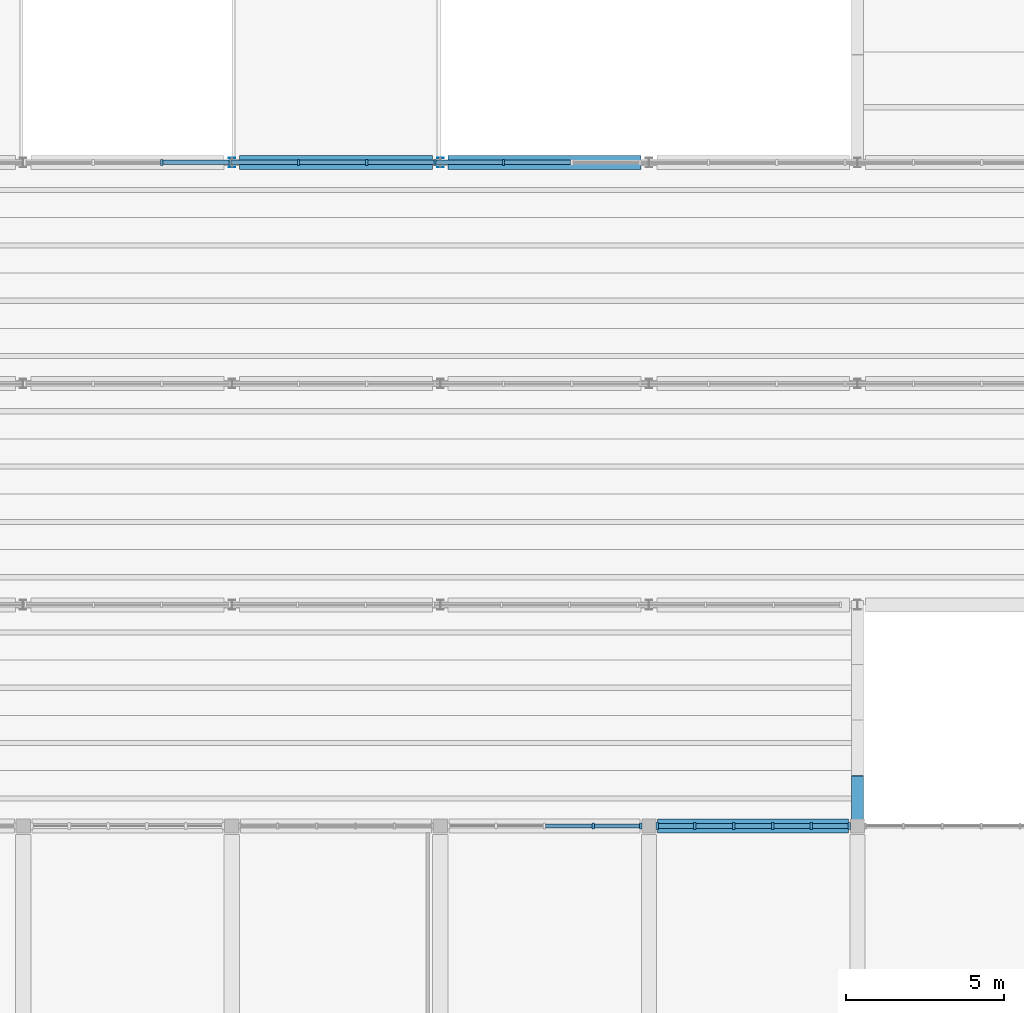
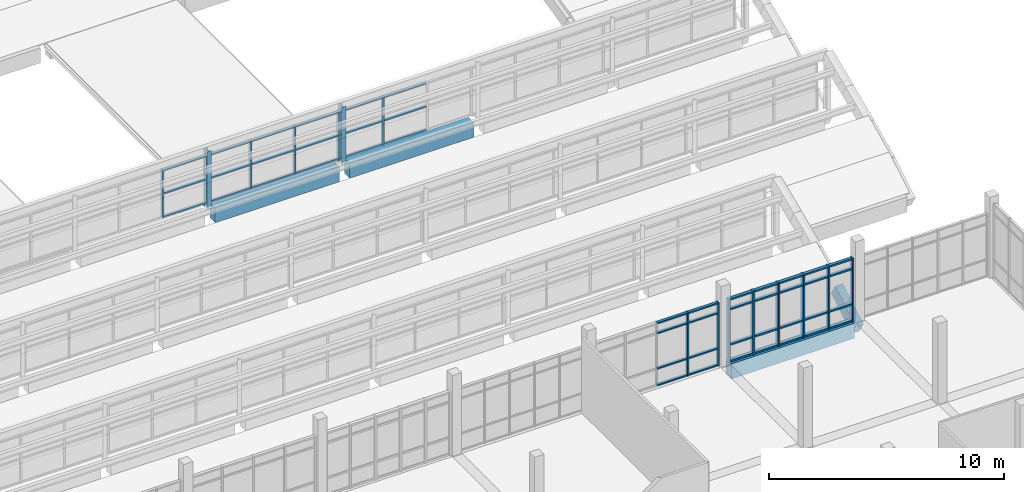
# One storey, part 33 of 92: 62 members, 4 beams, 3 elements without a shape of their own.
"""IFC4 building model written with IfcOpenShell, lengths in metres."""

from ifc_helpers import new_model, si_unit, direction, frame, origin, origin_2d, place, context, subcontext, project, spatial, rectangle, i_section, extrude, material, material_profile, profile_set, type_object, element, aggregate, save


model = new_model("IFC4")

# Units and contexts
model_context = context("Model", 3, precision=1e-05, world=origin(), true_north=direction((0.0, 1.0)))
body_context = subcontext(model_context, "Body", "Model", "MODEL_VIEW")
ifc_project = project(units=[si_unit("LENGTHUNIT", "METRE"), si_unit("AREAUNIT", "SQUARE_METRE"), si_unit("VOLUMEUNIT", "CUBIC_METRE"), si_unit("PLANEANGLEUNIT", "RADIAN"), si_unit("MASSUNIT", "GRAM", prefix="KILO")], contexts=[model_context])

# Site, building, storey
site_placement = place(None, origin())
site = spatial("IfcSite", under=ifc_project, at=site_placement, CompositionType="ELEMENT")
building_placement = place(site_placement, origin())
building = spatial("IfcBuilding", under=site, at=building_placement, Name="Ciguamira Faculty of Natural Sciences", CompositionType="ELEMENT")
storey_placement = place(building_placement, frame((0.0, 0.0, 16.800048828125)))
storey = spatial("IfcBuildingStorey", under=building, at=storey_placement, Name="L04", CompositionType="ELEMENT", Elevation=16.800048828125)

# Curtain wall, members
ifc_material_1 = material(Name="Anodized aluminium curtain wall", Category="aluminium")
curtain_wall_type_1 = type_object("IfcCurtainWallType", Name="CurtainWall_CW-11", PredefinedType="USERDEFINED", material=ifc_material_1)
curtain_wall_1_placement = place(storey_placement, origin())
curtain_wall_1 = element("IfcCurtainWall", 1, at=curtain_wall_1_placement, inside=storey, type_object=curtain_wall_type_1, Name="L04 unitised curtain wall 0119", ObjectType="UNITISED CURTAIN WALL", PredefinedType="USERDEFINED")
ifc_material_2 = material(Name="Anodized aluminium mullion", Category="aluminium")
ifc_material_profile_1 = material_profile(ifc_material_2, rectangle(XDim=0.070068359375, YDim=0.179931640625, at=origin_2d()), Name="ALU-MUL-70X180")
ifc_profile_set_1 = profile_set([ifc_material_profile_1], Name="Anodized aluminium mullion")
member_type_1 = type_object("IfcMemberType", Name="CWMullion_CWM-02", PredefinedType="MULLION", material=ifc_profile_set_1)
member_1_placement = place(storey_placement, frame((101.737548828125, 38.0, 0.0), z_axis=(0.0, 0.0, 1.0), x_axis=(1.0, 0.0, 0.0)))
member_1 = element("IfcMember", 2, at=member_1_placement, type_object=member_type_1, Name="CW-11 mullion 4", PredefinedType="MULLION", context=body_context, shape_type="SweptSolid", body=[
    extrude(rectangle(XDim=0.070068359375, YDim=0.179931640625, at=origin_2d()), origin(), (0.0, 0.0, 1.0), 3.284912109375),
])
member_2_placement = place(storey_placement, frame((103.239990234375, 38.0, 0.0), z_axis=(0.0, 0.0, 1.0), x_axis=(1.0, 0.0, 0.0)))
member_2 = element("IfcMember", 3, at=member_2_placement, type_object=member_type_1, Name="CW-11 mullion 5", PredefinedType="MULLION", context=body_context, shape_type="SweptSolid", body=[
    extrude(rectangle(XDim=0.070068359375, YDim=0.179931640625, at=origin_2d()), origin(), (0.0, 0.0, 1.0), 3.284912109375),
])

curtain_wall_type_2 = type_object("IfcCurtainWallType", Name="CurtainWall_CW-04", PredefinedType="USERDEFINED", material=ifc_material_1)
curtain_wall_2_placement = place(storey_placement, origin())
curtain_wall_2 = element("IfcCurtainWall", 4, at=curtain_wall_2_placement, inside=storey, type_object=curtain_wall_type_2, Name="V4 north-light wave 3 clerestory glazing 1", ObjectType="UNITISED CURTAIN WALL", PredefinedType="USERDEFINED")
member_3_placement = place(storey_placement, frame((88.08154296875, 59.0, 0.25), z_axis=(0.0, 0.0, 1.0), x_axis=(1.0, 0.0, 0.0)))
member_3 = element("IfcMember", 5, at=member_3_placement, type_object=member_type_1, Name="CW-04 mullion 15", PredefinedType="MULLION", context=body_context, shape_type="SweptSolid", body=[
    extrude(rectangle(XDim=0.070068359375, YDim=0.179931640625, at=origin_2d()), origin(), (0.0, 0.0, 1.0), 2.5),
])
member_4_placement = place(storey_placement, frame((90.244384765625, 59.0, 0.25), z_axis=(0.0, 0.0, 1.0), x_axis=(1.0, 0.0, 0.0)))
member_4 = element("IfcMember", 6, at=member_4_placement, type_object=member_type_1, Name="CW-04 mullion 16", PredefinedType="MULLION", context=body_context, shape_type="SweptSolid", body=[
    extrude(rectangle(XDim=0.070068359375, YDim=0.179931640625, at=origin_2d()), origin(), (0.0, 0.0, 1.0), 2.5),
])
member_5_placement = place(storey_placement, frame((92.407470703125, 59.0, 0.25), z_axis=(0.0, 0.0, 1.0), x_axis=(1.0, 0.0, 0.0)))
member_5 = element("IfcMember", 7, at=member_5_placement, type_object=member_type_1, Name="CW-04 mullion 17", PredefinedType="MULLION", context=body_context, shape_type="SweptSolid", body=[
    extrude(rectangle(XDim=0.070068359375, YDim=0.179931640625, at=origin_2d()), origin(), (0.0, 0.0, 1.0), 2.5),
])
member_6_placement = place(storey_placement, frame((94.5703125, 59.0, 0.25), z_axis=(0.0, 0.0, 1.0), x_axis=(1.0, 0.0, 0.0)))
member_6 = element("IfcMember", 8, at=member_6_placement, type_object=member_type_1, Name="CW-04 mullion 18", PredefinedType="MULLION", context=body_context, shape_type="SweptSolid", body=[
    extrude(rectangle(XDim=0.070068359375, YDim=0.179931640625, at=origin_2d()), origin(), (0.0, 0.0, 1.0), 2.5),
])
member_7_placement = place(storey_placement, frame((96.7333984375, 59.0, 0.25), z_axis=(0.0, 0.0, 1.0), x_axis=(1.0, 0.0, 0.0)))
member_7 = element("IfcMember", 9, at=member_7_placement, type_object=member_type_1, Name="CW-04 mullion 19", PredefinedType="MULLION", context=body_context, shape_type="SweptSolid", body=[
    extrude(rectangle(XDim=0.070068359375, YDim=0.179931640625, at=origin_2d()), origin(), (0.0, 0.0, 1.0), 2.5),
])
member_8_placement = place(storey_placement, frame((98.896240234375, 59.0, 0.25), z_axis=(0.0, 0.0, 1.0), x_axis=(1.0, 0.0, 0.0)))
member_8 = element("IfcMember", 10, at=member_8_placement, type_object=member_type_1, Name="CW-04 mullion 20", PredefinedType="MULLION", context=body_context, shape_type="SweptSolid", body=[
    extrude(rectangle(XDim=0.070068359375, YDim=0.179931640625, at=origin_2d()), origin(), (0.0, 0.0, 1.0), 2.5),
])

curtain_wall_type_3 = type_object("IfcCurtainWallType", Name="CurtainWall_CW-12", PredefinedType="USERDEFINED", material=ifc_material_1)
curtain_wall_3_placement = place(storey_placement, origin())
curtain_wall_3 = element("IfcCurtainWall", 11, at=curtain_wall_3_placement, inside=storey, type_object=curtain_wall_type_3, Name="L04 unitised curtain wall 0120", ObjectType="UNITISED CURTAIN WALL", PredefinedType="USERDEFINED")
ifc_material_profile_2 = material_profile(ifc_material_2, rectangle(XDim=0.080078125, YDim=0.219970703125, at=origin_2d()), Name="ALU-MUL-80X220")
ifc_profile_set_2 = profile_set([ifc_material_profile_2], Name="Anodized aluminium mullion")
member_type_2 = type_object("IfcMemberType", Name="CWMullion_CWM-03", PredefinedType="MULLION", material=ifc_profile_set_2)
member_9_placement = place(storey_placement, frame((103.764892578125, 38.0, 0.0), z_axis=(0.0, 0.0, 1.0), x_axis=(1.0, 0.0, 0.0)))
member_9 = element("IfcMember", 12, at=member_9_placement, type_object=member_type_2, Name="CW-12 mullion 1", PredefinedType="MULLION", context=body_context, shape_type="SweptSolid", body=[
    extrude(rectangle(XDim=0.080078125, YDim=0.219970703125, at=origin_2d()), origin(), (0.0, 0.0, 1.0), 3.284912109375),
])
member_10_placement = place(storey_placement, frame((104.955078125, 38.0, 0.0), z_axis=(0.0, 0.0, 1.0), x_axis=(1.0, 0.0, 0.0)))
member_10 = element("IfcMember", 13, at=member_10_placement, type_object=member_type_2, Name="CW-12 mullion 2", PredefinedType="MULLION", context=body_context, shape_type="SweptSolid", body=[
    extrude(rectangle(XDim=0.080078125, YDim=0.219970703125, at=origin_2d()), origin(), (0.0, 0.0, 1.0), 3.284912109375),
])
member_11_placement = place(storey_placement, frame((106.18505859375, 38.0, 0.0), z_axis=(0.0, 0.0, 1.0), x_axis=(1.0, 0.0, 0.0)))
member_11 = element("IfcMember", 14, at=member_11_placement, type_object=member_type_2, Name="CW-12 mullion 3", PredefinedType="MULLION", context=body_context, shape_type="SweptSolid", body=[
    extrude(rectangle(XDim=0.080078125, YDim=0.219970703125, at=origin_2d()), origin(), (0.0, 0.0, 1.0), 3.284912109375),
])
member_12_placement = place(storey_placement, frame((107.4150390625, 38.0, 0.0), z_axis=(0.0, 0.0, 1.0), x_axis=(1.0, 0.0, 0.0)))
member_12 = element("IfcMember", 15, at=member_12_placement, type_object=member_type_2, Name="CW-12 mullion 4", PredefinedType="MULLION", context=body_context, shape_type="SweptSolid", body=[
    extrude(rectangle(XDim=0.080078125, YDim=0.219970703125, at=origin_2d()), origin(), (0.0, 0.0, 1.0), 3.284912109375),
])
member_13_placement = place(storey_placement, frame((108.64501953125, 38.0, 0.0), z_axis=(0.0, 0.0, 1.0), x_axis=(1.0, 0.0, 0.0)))
member_13 = element("IfcMember", 16, at=member_13_placement, type_object=member_type_2, Name="CW-12 mullion 5", PredefinedType="MULLION", context=body_context, shape_type="SweptSolid", body=[
    extrude(rectangle(XDim=0.080078125, YDim=0.219970703125, at=origin_2d()), origin(), (0.0, 0.0, 1.0), 3.284912109375),
])
member_14_placement = place(storey_placement, frame((109.8349609375, 38.0, 0.0), z_axis=(0.0, 0.0, 1.0), x_axis=(1.0, 0.0, 0.0)))
member_14 = element("IfcMember", 17, at=member_14_placement, type_object=member_type_2, Name="CW-12 mullion 6", PredefinedType="MULLION", context=body_context, shape_type="SweptSolid", body=[
    extrude(rectangle(XDim=0.080078125, YDim=0.219970703125, at=origin_2d()), origin(), (0.0, 0.0, 1.0), 3.284912109375),
])

# Member
ifc_material_3 = material(Name="Anodized aluminium transom", Category="aluminium")
ifc_material_profile_3 = material_profile(ifc_material_3, rectangle(XDim=0.070068359375, YDim=0.139892578125, at=origin_2d()), Name="ALU-TRN-70X140")
ifc_profile_set_3 = profile_set([ifc_material_profile_3], Name="Anodized aluminium transom")
member_type_3 = type_object("IfcMemberType", Name="CWTransom_CWT-02", PredefinedType="USERDEFINED", material=ifc_profile_set_3)
member_15_placement = place(storey_placement, frame((100.235107421875, 38.0, 0.034912109375), z_axis=(1.0, 0.0, 0.0), x_axis=(0.0, 0.0, 1.0)))
member_15 = element("IfcMember", 18, at=member_15_placement, type_object=member_type_3, Name="CW-11 transom 3.1", ObjectType="TRANSOM", PredefinedType="USERDEFINED", context=body_context, shape_type="SweptSolid", body=[
    extrude(rectangle(XDim=0.070068359375, YDim=0.139892578125, at=origin_2d()), origin(), (0.0, 0.0, 1.0), 1.46728515625),
])

member_16_placement = place(storey_placement, frame((100.235107421875, 38.0, 0.89990234375), z_axis=(1.0, 0.0, 0.0), x_axis=(0.0, 0.0, 1.0)))
member_16 = element("IfcMember", 19, at=member_16_placement, type_object=member_type_3, Name="CW-11 transom 3.2", ObjectType="TRANSOM", PredefinedType="USERDEFINED", context=body_context, shape_type="SweptSolid", body=[
    extrude(rectangle(XDim=0.070068359375, YDim=0.139892578125, at=origin_2d()), origin(), (0.0, 0.0, 1.0), 1.46728515625),
])

member_17_placement = place(storey_placement, frame((100.235107421875, 38.0, 2.73486328125), z_axis=(1.0, 0.0, 0.0), x_axis=(0.0, 0.0, 1.0)))
member_17 = element("IfcMember", 20, at=member_17_placement, type_object=member_type_3, Name="CW-11 transom 3.3", ObjectType="TRANSOM", PredefinedType="USERDEFINED", context=body_context, shape_type="SweptSolid", body=[
    extrude(rectangle(XDim=0.070068359375, YDim=0.139892578125, at=origin_2d()), origin(), (0.0, 0.0, 1.0), 1.46728515625),
])

member_18_placement = place(storey_placement, frame((100.235107421875, 38.0, 3.25), z_axis=(1.0, 0.0, 0.0), x_axis=(0.0, 0.0, 1.0)))
member_18 = element("IfcMember", 21, at=member_18_placement, type_object=member_type_3, Name="CW-11 transom 3.4", ObjectType="TRANSOM", PredefinedType="USERDEFINED", context=body_context, shape_type="SweptSolid", body=[
    extrude(rectangle(XDim=0.070068359375, YDim=0.139892578125, at=origin_2d()), origin(), (0.0, 0.0, 1.0), 1.46728515625),
])

member_19_placement = place(storey_placement, frame((101.7724609375, 38.0, 0.034912109375), z_axis=(1.0, 0.0, 0.0), x_axis=(0.0, 0.0, 1.0)))
member_19 = element("IfcMember", 22, at=member_19_placement, type_object=member_type_3, Name="CW-11 transom 4.1", ObjectType="TRANSOM", PredefinedType="USERDEFINED", context=body_context, shape_type="SweptSolid", body=[
    extrude(rectangle(XDim=0.070068359375, YDim=0.139892578125, at=origin_2d()), origin(), (0.0, 0.0, 1.0), 1.4326171875),
])

member_20_placement = place(storey_placement, frame((101.7724609375, 38.0, 0.89990234375), z_axis=(1.0, 0.0, 0.0), x_axis=(0.0, 0.0, 1.0)))
member_20 = element("IfcMember", 23, at=member_20_placement, type_object=member_type_3, Name="CW-11 transom 4.2", ObjectType="TRANSOM", PredefinedType="USERDEFINED", context=body_context, shape_type="SweptSolid", body=[
    extrude(rectangle(XDim=0.070068359375, YDim=0.139892578125, at=origin_2d()), origin(), (0.0, 0.0, 1.0), 1.4326171875),
])

member_21_placement = place(storey_placement, frame((101.7724609375, 38.0, 2.73486328125), z_axis=(1.0, 0.0, 0.0), x_axis=(0.0, 0.0, 1.0)))
member_21 = element("IfcMember", 24, at=member_21_placement, type_object=member_type_3, Name="CW-11 transom 4.3", ObjectType="TRANSOM", PredefinedType="USERDEFINED", context=body_context, shape_type="SweptSolid", body=[
    extrude(rectangle(XDim=0.070068359375, YDim=0.139892578125, at=origin_2d()), origin(), (0.0, 0.0, 1.0), 1.4326171875),
])

member_22_placement = place(storey_placement, frame((101.7724609375, 38.0, 3.25), z_axis=(1.0, 0.0, 0.0), x_axis=(0.0, 0.0, 1.0)))
member_22 = element("IfcMember", 25, at=member_22_placement, type_object=member_type_3, Name="CW-11 transom 4.4", ObjectType="TRANSOM", PredefinedType="USERDEFINED", context=body_context, shape_type="SweptSolid", body=[
    extrude(rectangle(XDim=0.070068359375, YDim=0.139892578125, at=origin_2d()), origin(), (0.0, 0.0, 1.0), 1.4326171875),
])

aggregate(curtain_wall_1, [member_1, member_2, member_15, member_16, member_17, member_18, member_19, member_20, member_21, member_22])

member_23_placement = place(storey_placement, frame((88.116455078125, 59.0, 0.284912109375), z_axis=(1.0, 0.0, 0.0), x_axis=(0.0, 0.0, 1.0)))
member_23 = element("IfcMember", 26, at=member_23_placement, type_object=member_type_3, Name="CW-04 transom 15.1", ObjectType="TRANSOM", PredefinedType="USERDEFINED", context=body_context, shape_type="SweptSolid", body=[
    extrude(rectangle(XDim=0.070068359375, YDim=0.139892578125, at=origin_2d()), origin(), (0.0, 0.0, 1.0), 2.093017578125),
])

member_24_placement = place(storey_placement, frame((88.116455078125, 59.0, 1.5), z_axis=(1.0, 0.0, 0.0), x_axis=(0.0, 0.0, 1.0)))
member_24 = element("IfcMember", 27, at=member_24_placement, type_object=member_type_3, Name="CW-04 transom 15.2", ObjectType="TRANSOM", PredefinedType="USERDEFINED", context=body_context, shape_type="SweptSolid", body=[
    extrude(rectangle(XDim=0.070068359375, YDim=0.139892578125, at=origin_2d()), origin(), (0.0, 0.0, 1.0), 2.093017578125),
])

member_25_placement = place(storey_placement, frame((88.116455078125, 59.0, 2.71484375), z_axis=(1.0, 0.0, 0.0), x_axis=(0.0, 0.0, 1.0)))
member_25 = element("IfcMember", 28, at=member_25_placement, type_object=member_type_3, Name="CW-04 transom 15.3", ObjectType="TRANSOM", PredefinedType="USERDEFINED", context=body_context, shape_type="SweptSolid", body=[
    extrude(rectangle(XDim=0.070068359375, YDim=0.139892578125, at=origin_2d()), origin(), (0.0, 0.0, 1.0), 2.093017578125),
])

member_26_placement = place(storey_placement, frame((90.279541015625, 59.0, 0.284912109375), z_axis=(1.0, 0.0, 0.0), x_axis=(0.0, 0.0, 1.0)))
member_26 = element("IfcMember", 29, at=member_26_placement, type_object=member_type_3, Name="CW-04 transom 16.1", ObjectType="TRANSOM", PredefinedType="USERDEFINED", context=body_context, shape_type="SweptSolid", body=[
    extrude(rectangle(XDim=0.070068359375, YDim=0.139892578125, at=origin_2d()), origin(), (0.0, 0.0, 1.0), 2.0927734375),
])

member_27_placement = place(storey_placement, frame((90.279541015625, 59.0, 1.5), z_axis=(1.0, 0.0, 0.0), x_axis=(0.0, 0.0, 1.0)))
member_27 = element("IfcMember", 30, at=member_27_placement, type_object=member_type_3, Name="CW-04 transom 16.2", ObjectType="TRANSOM", PredefinedType="USERDEFINED", context=body_context, shape_type="SweptSolid", body=[
    extrude(rectangle(XDim=0.070068359375, YDim=0.139892578125, at=origin_2d()), origin(), (0.0, 0.0, 1.0), 2.0927734375),
])

member_28_placement = place(storey_placement, frame((90.279541015625, 59.0, 2.71484375), z_axis=(1.0, 0.0, 0.0), x_axis=(0.0, 0.0, 1.0)))
member_28 = element("IfcMember", 31, at=member_28_placement, type_object=member_type_3, Name="CW-04 transom 16.3", ObjectType="TRANSOM", PredefinedType="USERDEFINED", context=body_context, shape_type="SweptSolid", body=[
    extrude(rectangle(XDim=0.070068359375, YDim=0.139892578125, at=origin_2d()), origin(), (0.0, 0.0, 1.0), 2.0927734375),
])

member_29_placement = place(storey_placement, frame((92.4423828125, 59.0, 0.284912109375), z_axis=(1.0, 0.0, 0.0), x_axis=(0.0, 0.0, 1.0)))
member_29 = element("IfcMember", 32, at=member_29_placement, type_object=member_type_3, Name="CW-04 transom 17.1", ObjectType="TRANSOM", PredefinedType="USERDEFINED", context=body_context, shape_type="SweptSolid", body=[
    extrude(rectangle(XDim=0.070068359375, YDim=0.139892578125, at=origin_2d()), origin(), (0.0, 0.0, 1.0), 2.093017578125),
])

member_30_placement = place(storey_placement, frame((92.4423828125, 59.0, 1.5), z_axis=(1.0, 0.0, 0.0), x_axis=(0.0, 0.0, 1.0)))
member_30 = element("IfcMember", 33, at=member_30_placement, type_object=member_type_3, Name="CW-04 transom 17.2", ObjectType="TRANSOM", PredefinedType="USERDEFINED", context=body_context, shape_type="SweptSolid", body=[
    extrude(rectangle(XDim=0.070068359375, YDim=0.139892578125, at=origin_2d()), origin(), (0.0, 0.0, 1.0), 2.093017578125),
])

member_31_placement = place(storey_placement, frame((92.4423828125, 59.0, 2.71484375), z_axis=(1.0, 0.0, 0.0), x_axis=(0.0, 0.0, 1.0)))
member_31 = element("IfcMember", 34, at=member_31_placement, type_object=member_type_3, Name="CW-04 transom 17.3", ObjectType="TRANSOM", PredefinedType="USERDEFINED", context=body_context, shape_type="SweptSolid", body=[
    extrude(rectangle(XDim=0.070068359375, YDim=0.139892578125, at=origin_2d()), origin(), (0.0, 0.0, 1.0), 2.093017578125),
])

member_32_placement = place(storey_placement, frame((94.60546875, 59.0, 0.284912109375), z_axis=(1.0, 0.0, 0.0), x_axis=(0.0, 0.0, 1.0)))
member_32 = element("IfcMember", 35, at=member_32_placement, type_object=member_type_3, Name="CW-04 transom 18.1", ObjectType="TRANSOM", PredefinedType="USERDEFINED", context=body_context, shape_type="SweptSolid", body=[
    extrude(rectangle(XDim=0.070068359375, YDim=0.139892578125, at=origin_2d()), origin(), (0.0, 0.0, 1.0), 2.0927734375),
])

member_33_placement = place(storey_placement, frame((94.60546875, 59.0, 1.5), z_axis=(1.0, 0.0, 0.0), x_axis=(0.0, 0.0, 1.0)))
member_33 = element("IfcMember", 36, at=member_33_placement, type_object=member_type_3, Name="CW-04 transom 18.2", ObjectType="TRANSOM", PredefinedType="USERDEFINED", context=body_context, shape_type="SweptSolid", body=[
    extrude(rectangle(XDim=0.070068359375, YDim=0.139892578125, at=origin_2d()), origin(), (0.0, 0.0, 1.0), 2.0927734375),
])

member_34_placement = place(storey_placement, frame((94.60546875, 59.0, 2.71484375), z_axis=(1.0, 0.0, 0.0), x_axis=(0.0, 0.0, 1.0)))
member_34 = element("IfcMember", 37, at=member_34_placement, type_object=member_type_3, Name="CW-04 transom 18.3", ObjectType="TRANSOM", PredefinedType="USERDEFINED", context=body_context, shape_type="SweptSolid", body=[
    extrude(rectangle(XDim=0.070068359375, YDim=0.139892578125, at=origin_2d()), origin(), (0.0, 0.0, 1.0), 2.0927734375),
])

member_35_placement = place(storey_placement, frame((96.768310546875, 59.0, 0.284912109375), z_axis=(1.0, 0.0, 0.0), x_axis=(0.0, 0.0, 1.0)))
member_35 = element("IfcMember", 38, at=member_35_placement, type_object=member_type_3, Name="CW-04 transom 19.1", ObjectType="TRANSOM", PredefinedType="USERDEFINED", context=body_context, shape_type="SweptSolid", body=[
    extrude(rectangle(XDim=0.070068359375, YDim=0.139892578125, at=origin_2d()), origin(), (0.0, 0.0, 1.0), 2.093017578125),
])

member_36_placement = place(storey_placement, frame((96.768310546875, 59.0, 1.5), z_axis=(1.0, 0.0, 0.0), x_axis=(0.0, 0.0, 1.0)))
member_36 = element("IfcMember", 39, at=member_36_placement, type_object=member_type_3, Name="CW-04 transom 19.2", ObjectType="TRANSOM", PredefinedType="USERDEFINED", context=body_context, shape_type="SweptSolid", body=[
    extrude(rectangle(XDim=0.070068359375, YDim=0.139892578125, at=origin_2d()), origin(), (0.0, 0.0, 1.0), 2.093017578125),
])

member_37_placement = place(storey_placement, frame((96.768310546875, 59.0, 2.71484375), z_axis=(1.0, 0.0, 0.0), x_axis=(0.0, 0.0, 1.0)))
member_37 = element("IfcMember", 40, at=member_37_placement, type_object=member_type_3, Name="CW-04 transom 19.3", ObjectType="TRANSOM", PredefinedType="USERDEFINED", context=body_context, shape_type="SweptSolid", body=[
    extrude(rectangle(XDim=0.070068359375, YDim=0.139892578125, at=origin_2d()), origin(), (0.0, 0.0, 1.0), 2.093017578125),
])

member_38_placement = place(storey_placement, frame((98.931396484375, 59.0, 0.284912109375), z_axis=(1.0, 0.0, 0.0), x_axis=(0.0, 0.0, 1.0)))
member_38 = element("IfcMember", 41, at=member_38_placement, type_object=member_type_3, Name="CW-04 transom 20.1", ObjectType="TRANSOM", PredefinedType="USERDEFINED", context=body_context, shape_type="SweptSolid", body=[
    extrude(rectangle(XDim=0.070068359375, YDim=0.139892578125, at=origin_2d()), origin(), (0.0, 0.0, 1.0), 2.0927734375),
])

member_39_placement = place(storey_placement, frame((98.931396484375, 59.0, 1.5), z_axis=(1.0, 0.0, 0.0), x_axis=(0.0, 0.0, 1.0)))
member_39 = element("IfcMember", 42, at=member_39_placement, type_object=member_type_3, Name="CW-04 transom 20.2", ObjectType="TRANSOM", PredefinedType="USERDEFINED", context=body_context, shape_type="SweptSolid", body=[
    extrude(rectangle(XDim=0.070068359375, YDim=0.139892578125, at=origin_2d()), origin(), (0.0, 0.0, 1.0), 2.0927734375),
])

member_40_placement = place(storey_placement, frame((98.931396484375, 59.0, 2.71484375), z_axis=(1.0, 0.0, 0.0), x_axis=(0.0, 0.0, 1.0)))
member_40 = element("IfcMember", 43, at=member_40_placement, type_object=member_type_3, Name="CW-04 transom 20.3", ObjectType="TRANSOM", PredefinedType="USERDEFINED", context=body_context, shape_type="SweptSolid", body=[
    extrude(rectangle(XDim=0.070068359375, YDim=0.139892578125, at=origin_2d()), origin(), (0.0, 0.0, 1.0), 2.0927734375),
])

aggregate(curtain_wall_2, [member_3, member_4, member_5, member_6, member_7, member_8, member_23, member_24, member_25, member_26, member_27, member_28, member_29, member_30, member_31, member_32, member_33, member_34, member_35, member_36, member_37, member_38, member_39, member_40])

ifc_material_profile_4 = material_profile(ifc_material_3, rectangle(XDim=0.080078125, YDim=0.159912109375, at=origin_2d()), Name="ALU-TRN-80X160")
ifc_profile_set_4 = profile_set([ifc_material_profile_4], Name="Anodized aluminium transom")
member_type_4 = type_object("IfcMemberType", Name="CWTransom_CWT-03", PredefinedType="USERDEFINED", material=ifc_profile_set_4)
member_41_placement = place(storey_placement, frame((103.804931640625, 38.0, 0.0400390625), z_axis=(1.0, 0.0, 0.0), x_axis=(0.0, 0.0, 1.0)))
member_41 = element("IfcMember", 44, at=member_41_placement, type_object=member_type_4, Name="CW-12 transom 1.1", ObjectType="TRANSOM", PredefinedType="USERDEFINED", context=body_context, shape_type="SweptSolid", body=[
    extrude(rectangle(XDim=0.080078125, YDim=0.159912109375, at=origin_2d()), origin(), (0.0, 0.0, 1.0), 1.110107421875),
])

member_42_placement = place(storey_placement, frame((103.804931640625, 38.0, 0.89990234375), z_axis=(1.0, 0.0, 0.0), x_axis=(0.0, 0.0, 1.0)))
member_42 = element("IfcMember", 45, at=member_42_placement, type_object=member_type_4, Name="CW-12 transom 1.2", ObjectType="TRANSOM", PredefinedType="USERDEFINED", context=body_context, shape_type="SweptSolid", body=[
    extrude(rectangle(XDim=0.080078125, YDim=0.159912109375, at=origin_2d()), origin(), (0.0, 0.0, 1.0), 1.110107421875),
])

member_43_placement = place(storey_placement, frame((103.804931640625, 38.0, 2.73486328125), z_axis=(1.0, 0.0, 0.0), x_axis=(0.0, 0.0, 1.0)))
member_43 = element("IfcMember", 46, at=member_43_placement, type_object=member_type_4, Name="CW-12 transom 1.3", ObjectType="TRANSOM", PredefinedType="USERDEFINED", context=body_context, shape_type="SweptSolid", body=[
    extrude(rectangle(XDim=0.080078125, YDim=0.159912109375, at=origin_2d()), origin(), (0.0, 0.0, 1.0), 1.110107421875),
])

member_44_placement = place(storey_placement, frame((103.804931640625, 38.0, 3.244873046875), z_axis=(1.0, 0.0, 0.0), x_axis=(0.0, 0.0, 1.0)))
member_44 = element("IfcMember", 47, at=member_44_placement, type_object=member_type_4, Name="CW-12 transom 1.4", ObjectType="TRANSOM", PredefinedType="USERDEFINED", context=body_context, shape_type="SweptSolid", body=[
    extrude(rectangle(XDim=0.080078125, YDim=0.159912109375, at=origin_2d()), origin(), (0.0, 0.0, 1.0), 1.110107421875),
])

member_45_placement = place(storey_placement, frame((104.9951171875, 38.0, 0.0400390625), z_axis=(1.0, 0.0, 0.0), x_axis=(0.0, 0.0, 1.0)))
member_45 = element("IfcMember", 48, at=member_45_placement, type_object=member_type_4, Name="CW-12 transom 2.1", ObjectType="TRANSOM", PredefinedType="USERDEFINED", context=body_context, shape_type="SweptSolid", body=[
    extrude(rectangle(XDim=0.080078125, YDim=0.159912109375, at=origin_2d()), origin(), (0.0, 0.0, 1.0), 1.14990234375),
])

member_46_placement = place(storey_placement, frame((104.9951171875, 38.0, 0.89990234375), z_axis=(1.0, 0.0, 0.0), x_axis=(0.0, 0.0, 1.0)))
member_46 = element("IfcMember", 49, at=member_46_placement, type_object=member_type_4, Name="CW-12 transom 2.2", ObjectType="TRANSOM", PredefinedType="USERDEFINED", context=body_context, shape_type="SweptSolid", body=[
    extrude(rectangle(XDim=0.080078125, YDim=0.159912109375, at=origin_2d()), origin(), (0.0, 0.0, 1.0), 1.14990234375),
])

member_47_placement = place(storey_placement, frame((104.9951171875, 38.0, 2.73486328125), z_axis=(1.0, 0.0, 0.0), x_axis=(0.0, 0.0, 1.0)))
member_47 = element("IfcMember", 50, at=member_47_placement, type_object=member_type_4, Name="CW-12 transom 2.3", ObjectType="TRANSOM", PredefinedType="USERDEFINED", context=body_context, shape_type="SweptSolid", body=[
    extrude(rectangle(XDim=0.080078125, YDim=0.159912109375, at=origin_2d()), origin(), (0.0, 0.0, 1.0), 1.14990234375),
])

member_48_placement = place(storey_placement, frame((104.9951171875, 38.0, 3.244873046875), z_axis=(1.0, 0.0, 0.0), x_axis=(0.0, 0.0, 1.0)))
member_48 = element("IfcMember", 51, at=member_48_placement, type_object=member_type_4, Name="CW-12 transom 2.4", ObjectType="TRANSOM", PredefinedType="USERDEFINED", context=body_context, shape_type="SweptSolid", body=[
    extrude(rectangle(XDim=0.080078125, YDim=0.159912109375, at=origin_2d()), origin(), (0.0, 0.0, 1.0), 1.14990234375),
])

member_49_placement = place(storey_placement, frame((106.22509765625, 38.0, 0.0400390625), z_axis=(1.0, 0.0, 0.0), x_axis=(0.0, 0.0, 1.0)))
member_49 = element("IfcMember", 52, at=member_49_placement, type_object=member_type_4, Name="CW-12 transom 3.1", ObjectType="TRANSOM", PredefinedType="USERDEFINED", context=body_context, shape_type="SweptSolid", body=[
    extrude(rectangle(XDim=0.080078125, YDim=0.159912109375, at=origin_2d()), origin(), (0.0, 0.0, 1.0), 1.14990234375),
])

member_50_placement = place(storey_placement, frame((106.22509765625, 38.0, 0.89990234375), z_axis=(1.0, 0.0, 0.0), x_axis=(0.0, 0.0, 1.0)))
member_50 = element("IfcMember", 53, at=member_50_placement, type_object=member_type_4, Name="CW-12 transom 3.2", ObjectType="TRANSOM", PredefinedType="USERDEFINED", context=body_context, shape_type="SweptSolid", body=[
    extrude(rectangle(XDim=0.080078125, YDim=0.159912109375, at=origin_2d()), origin(), (0.0, 0.0, 1.0), 1.14990234375),
])

member_51_placement = place(storey_placement, frame((106.22509765625, 38.0, 2.73486328125), z_axis=(1.0, 0.0, 0.0), x_axis=(0.0, 0.0, 1.0)))
member_51 = element("IfcMember", 54, at=member_51_placement, type_object=member_type_4, Name="CW-12 transom 3.3", ObjectType="TRANSOM", PredefinedType="USERDEFINED", context=body_context, shape_type="SweptSolid", body=[
    extrude(rectangle(XDim=0.080078125, YDim=0.159912109375, at=origin_2d()), origin(), (0.0, 0.0, 1.0), 1.14990234375),
])

member_52_placement = place(storey_placement, frame((106.22509765625, 38.0, 3.244873046875), z_axis=(1.0, 0.0, 0.0), x_axis=(0.0, 0.0, 1.0)))
member_52 = element("IfcMember", 55, at=member_52_placement, type_object=member_type_4, Name="CW-12 transom 3.4", ObjectType="TRANSOM", PredefinedType="USERDEFINED", context=body_context, shape_type="SweptSolid", body=[
    extrude(rectangle(XDim=0.080078125, YDim=0.159912109375, at=origin_2d()), origin(), (0.0, 0.0, 1.0), 1.14990234375),
])

member_53_placement = place(storey_placement, frame((107.455078125, 38.0, 0.0400390625), z_axis=(1.0, 0.0, 0.0), x_axis=(0.0, 0.0, 1.0)))
member_53 = element("IfcMember", 56, at=member_53_placement, type_object=member_type_4, Name="CW-12 transom 4.1", ObjectType="TRANSOM", PredefinedType="USERDEFINED", context=body_context, shape_type="SweptSolid", body=[
    extrude(rectangle(XDim=0.080078125, YDim=0.159912109375, at=origin_2d()), origin(), (0.0, 0.0, 1.0), 1.14990234375),
])

member_54_placement = place(storey_placement, frame((107.455078125, 38.0, 0.89990234375), z_axis=(1.0, 0.0, 0.0), x_axis=(0.0, 0.0, 1.0)))
member_54 = element("IfcMember", 57, at=member_54_placement, type_object=member_type_4, Name="CW-12 transom 4.2", ObjectType="TRANSOM", PredefinedType="USERDEFINED", context=body_context, shape_type="SweptSolid", body=[
    extrude(rectangle(XDim=0.080078125, YDim=0.159912109375, at=origin_2d()), origin(), (0.0, 0.0, 1.0), 1.14990234375),
])

member_55_placement = place(storey_placement, frame((107.455078125, 38.0, 2.73486328125), z_axis=(1.0, 0.0, 0.0), x_axis=(0.0, 0.0, 1.0)))
member_55 = element("IfcMember", 58, at=member_55_placement, type_object=member_type_4, Name="CW-12 transom 4.3", ObjectType="TRANSOM", PredefinedType="USERDEFINED", context=body_context, shape_type="SweptSolid", body=[
    extrude(rectangle(XDim=0.080078125, YDim=0.159912109375, at=origin_2d()), origin(), (0.0, 0.0, 1.0), 1.14990234375),
])

member_56_placement = place(storey_placement, frame((107.455078125, 38.0, 3.244873046875), z_axis=(1.0, 0.0, 0.0), x_axis=(0.0, 0.0, 1.0)))
member_56 = element("IfcMember", 59, at=member_56_placement, type_object=member_type_4, Name="CW-12 transom 4.4", ObjectType="TRANSOM", PredefinedType="USERDEFINED", context=body_context, shape_type="SweptSolid", body=[
    extrude(rectangle(XDim=0.080078125, YDim=0.159912109375, at=origin_2d()), origin(), (0.0, 0.0, 1.0), 1.14990234375),
])

member_57_placement = place(storey_placement, frame((108.68505859375, 38.0, 0.0400390625), z_axis=(1.0, 0.0, 0.0), x_axis=(0.0, 0.0, 1.0)))
member_57 = element("IfcMember", 60, at=member_57_placement, type_object=member_type_4, Name="CW-12 transom 5.1", ObjectType="TRANSOM", PredefinedType="USERDEFINED", context=body_context, shape_type="SweptSolid", body=[
    extrude(rectangle(XDim=0.080078125, YDim=0.159912109375, at=origin_2d()), origin(), (0.0, 0.0, 1.0), 1.10986328125),
])

member_58_placement = place(storey_placement, frame((108.68505859375, 38.0, 0.89990234375), z_axis=(1.0, 0.0, 0.0), x_axis=(0.0, 0.0, 1.0)))
member_58 = element("IfcMember", 61, at=member_58_placement, type_object=member_type_4, Name="CW-12 transom 5.2", ObjectType="TRANSOM", PredefinedType="USERDEFINED", context=body_context, shape_type="SweptSolid", body=[
    extrude(rectangle(XDim=0.080078125, YDim=0.159912109375, at=origin_2d()), origin(), (0.0, 0.0, 1.0), 1.10986328125),
])

member_59_placement = place(storey_placement, frame((108.68505859375, 38.0, 2.73486328125), z_axis=(1.0, 0.0, 0.0), x_axis=(0.0, 0.0, 1.0)))
member_59 = element("IfcMember", 62, at=member_59_placement, type_object=member_type_4, Name="CW-12 transom 5.3", ObjectType="TRANSOM", PredefinedType="USERDEFINED", context=body_context, shape_type="SweptSolid", body=[
    extrude(rectangle(XDim=0.080078125, YDim=0.159912109375, at=origin_2d()), origin(), (0.0, 0.0, 1.0), 1.10986328125),
])

member_60_placement = place(storey_placement, frame((108.68505859375, 38.0, 3.244873046875), z_axis=(1.0, 0.0, 0.0), x_axis=(0.0, 0.0, 1.0)))
member_60 = element("IfcMember", 63, at=member_60_placement, type_object=member_type_4, Name="CW-12 transom 5.4", ObjectType="TRANSOM", PredefinedType="USERDEFINED", context=body_context, shape_type="SweptSolid", body=[
    extrude(rectangle(XDim=0.080078125, YDim=0.159912109375, at=origin_2d()), origin(), (0.0, 0.0, 1.0), 1.10986328125),
])

aggregate(curtain_wall_3, [member_9, member_10, member_11, member_12, member_13, member_14, member_41, member_42, member_43, member_44, member_45, member_46, member_47, member_48, member_49, member_50, member_51, member_52, member_53, member_54, member_55, member_56, member_57, member_58, member_59, member_60])

# Beams
ifc_material_4 = material(Name="Concrete C40/50", Category="concrete")
ifc_material_profile_5 = material_profile(ifc_material_4, rectangle(XDim=0.43994140625, YDim=0.780029296875, at=origin_2d()), Name="RC-BM-440X780")
ifc_profile_set_5 = profile_set([ifc_material_profile_5], Name="Concrete C40/50")
beam_type_1 = type_object("IfcBeamType", Name="RCBeam_BG-06_RC-BM-440X780", PredefinedType="BEAM", material=ifc_profile_set_5)
beam_1_placement = place(storey_placement, frame((103.77490234375, 38.0, -0.39013671875), z_axis=(1.0, 0.0, 0.0), x_axis=(0.0, 1.0, 0.0)))
element("IfcBeam", 64, at=beam_1_placement, inside=storey, type_object=beam_type_1, Name="V4 north-light wave 1 RC valley beam VAL-1-7", PredefinedType="BEAM", context=body_context, shape_type="SweptSolid", body=[
    extrude(rectangle(XDim=0.43994140625, YDim=0.780029296875, at=origin_2d()), origin(), (0.0, 0.0, 1.0), 6.050048828125),
])
beam_2_placement = place(storey_placement, frame((90.550048828125, 59.0, -0.39013671875), z_axis=(1.0, 0.0, 0.0), x_axis=(0.0, 1.0, 0.0)))
element("IfcBeam", 65, at=beam_2_placement, inside=storey, type_object=beam_type_1, Name="V4 north-light wave 3 RC valley beam NVL-1-6", PredefinedType="BEAM", context=body_context, shape_type="SweptSolid", body=[
    extrude(rectangle(XDim=0.43994140625, YDim=0.780029296875, at=origin_2d()), origin(), (0.0, 0.0, 1.0), 6.099853515625),
])
beam_3_placement = place(storey_placement, frame((97.14990234375, 59.0, -0.39013671875), z_axis=(1.0, 0.0, 0.0), x_axis=(0.0, 1.0, 0.0)))
element("IfcBeam", 66, at=beam_3_placement, inside=storey, type_object=beam_type_1, Name="V4 north-light wave 3 RC valley beam NVL-1-7", PredefinedType="BEAM", context=body_context, shape_type="SweptSolid", body=[
    extrude(rectangle(XDim=0.43994140625, YDim=0.780029296875, at=origin_2d()), origin(), (0.0, 0.0, 1.0), 6.10009765625),
])
ifc_material_profile_6 = material_profile(ifc_material_4, rectangle(XDim=0.3798828125, YDim=0.679931640625, at=origin_2d()), Name="RC-BM-380X680")
ifc_profile_set_6 = profile_set([ifc_material_profile_6], Name="Concrete C40/50")
beam_type_2 = type_object("IfcBeamType", Name="RCBeam_BG-09_RC-BM-380X680", PredefinedType="BEAM", material=ifc_profile_set_6)
beam_4_placement = place(storey_placement, frame((110.10009765625, 38.0, -0.52001953125), z_axis=(0.0, 0.858273746902, 0.513192142749), x_axis=(-1.0, 0.0, 0.0)))
element("IfcBeam", 67, at=beam_4_placement, inside=storey, type_object=beam_type_2, Name="V4 wave roof RC edge arch rib 1-1-1-2", PredefinedType="BEAM", context=body_context, shape_type="SweptSolid", body=[
    extrude(rectangle(XDim=0.3798828125, YDim=0.679931640625, at=origin_2d()), origin(), (0.0, 0.0, 1.0), 2.0390625),
])

# Members
ifc_material_5 = material(Name="Steel ASTM A992 Grade 50", Category="steel")
ifc_material_profile_7 = material_profile(ifc_material_5, i_section(OverallWidth=0.20458984375, OverallDepth=0.307373046875, WebThickness=0.008544921875, FlangeThickness=0.0146484375, at=origin_2d()), Name="W12X45")
ifc_profile_set_7 = profile_set([ifc_material_profile_7], Name="Steel ASTM A992 Grade 50")
member_type_5 = type_object("IfcMemberType", Name="SteelMember_TS-01_W12X45", PredefinedType="STRUT", material=ifc_profile_set_7)
for number, where, z_axis, x_axis, name in (
    (68, (90.300048828125, 59.0, 0.0), (0.0, 0.0, 1.0), (1.0, 0.0, 0.0), "V4 north-light wave 3 clerestory post 90"),
    (69, (96.89990234375, 59.0, 0.0), (0.0, 0.0, 1.0), (1.0, 0.0, 0.0), "V4 north-light wave 3 clerestory post 97"),
):
    element("IfcMember", number, at=place(storey_placement, frame(where, z_axis=z_axis, x_axis=x_axis)), inside=storey, type_object=member_type_5, Name=name, PredefinedType="STRUT", context=body_context, shape_type="SweptSolid", body=[
        extrude(i_section(OverallWidth=0.20458984375, OverallDepth=0.307373046875, WebThickness=0.008544921875, FlangeThickness=0.0146484375, at=origin_2d()), origin(), (0.0, 0.0, 1.0), 2.986328125),
    ])

save(model, "model.ifc")
